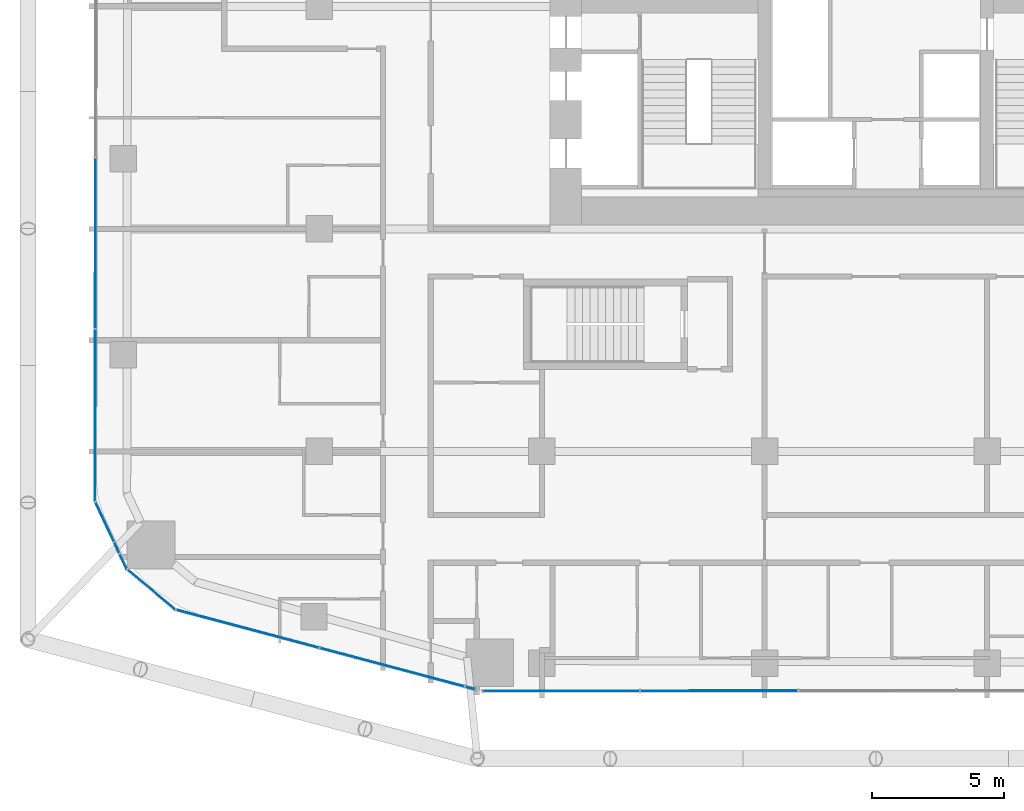
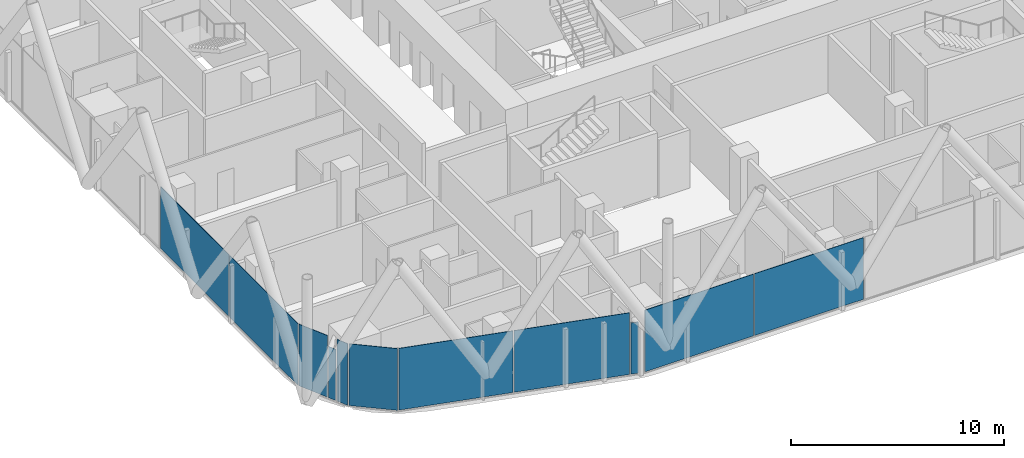
# One storey, part 18 of 34: 11 plates, 8 elements without a shape of their own.
"""IFC4 building model written with IfcOpenShell, lengths in metres."""

from ifc_helpers import new_model, si_unit, direction, frame, origin, origin_2d, place, context, subcontext, project, spatial, rectangle, extrude, material, layer, layer_set, type_object, element, aggregate, save


model = new_model("IFC4")

# Units and contexts
model_context = context("Model", 3, precision=1e-05, world=origin(), true_north=direction((0.0, 1.0)))
body_context = subcontext(model_context, "Body", "Model", "MODEL_VIEW")
ifc_project = project(units=[si_unit("LENGTHUNIT", "METRE"), si_unit("AREAUNIT", "SQUARE_METRE"), si_unit("VOLUMEUNIT", "CUBIC_METRE"), si_unit("PLANEANGLEUNIT", "RADIAN"), si_unit("MASSUNIT", "GRAM", prefix="KILO")], contexts=[model_context])

# Site, building, storey
site_placement = place(None, origin())
site = spatial("IfcSite", under=ifc_project, at=site_placement, CompositionType="ELEMENT")
building_placement = place(site_placement, origin())
building = spatial("IfcBuilding", under=site, at=building_placement, Name="Marenta Gate Hotel Tower", CompositionType="ELEMENT")
storey_placement = place(building_placement, frame((0.0, 0.0, 76.10009765625)))
storey = spatial("IfcBuildingStorey", under=building, at=storey_placement, Name="L17", CompositionType="ELEMENT", Elevation=76.10009765625)

# Curtain wall, plates
ifc_material_1 = material(Name="Tinted insulated glass in bronze anodised frame", Category="glass")
ifc_layer_1 = layer(ifc_material_1, 0.1201171875)
ifc_layer_set_1 = layer_set([ifc_layer_1], Name="Tinted insulated glass in bronze anodised frame")
curtain_wall_type = type_object("IfcCurtainWallType", Name="Tower unitised curtain wall CW1", PredefinedType="NOTDEFINED", material=ifc_layer_set_1)
curtain_wall_1_placement = place(storey_placement, origin())
curtain_wall_1 = element("IfcCurtainWall", 1, at=curtain_wall_1_placement, inside=storey, type_object=curtain_wall_type, Name="CW1 run G04", PredefinedType="NOTDEFINED")
ifc_material_2 = material(Name="Tinted insulated glass", Category="glass")
ifc_layer_2 = layer(ifc_material_2, 0.028076171875)
ifc_layer_set_2 = layer_set([ifc_layer_2], Name="Tinted insulated glass")
plate_type = type_object("IfcPlateType", Name="Glass panel CW1 28 mm tinted insulated unit", PredefinedType="CURTAIN_PANEL", material=ifc_layer_set_2)
plate_1_placement = place(storey_placement, frame((-29.4580078125, -0.54052734375, 0.059814453125), z_axis=(0.0, 0.0, 1.0), x_axis=(-0.00156642217, -0.99999877316, 0.0)))
plate_1 = element("IfcPlate", 2, at=plate_1_placement, type_object=plate_type, Name="CW1 panel 5.1", PredefinedType="CURTAIN_PANEL", context=body_context, shape_type="SweptSolid", body=[
    extrude(rectangle(XDim=6.430419921875, YDim=0.028076171875, at=origin_2d()), origin(), (0.0, 0.0, 1.0), 3.5400390625),
])
plate_2_placement = place(storey_placement, frame((-29.46826171875, -7.0458984375, 0.059814453125), z_axis=(0.0, 0.0, 1.0), x_axis=(-0.00156642217, -0.99999877316, 0.0)))
plate_2 = element("IfcPlate", 3, at=plate_2_placement, type_object=plate_type, Name="CW1 panel 6.1", PredefinedType="CURTAIN_PANEL", context=body_context, shape_type="SweptSolid", body=[
    extrude(rectangle(XDim=6.46044921875, YDim=0.028076171875, at=origin_2d()), origin(), (0.0, 0.0, 1.0), 3.5400390625),
])
aggregate(curtain_wall_1, [plate_1, plate_2])

# Curtain wall, plate
curtain_wall_2_placement = place(storey_placement, origin())
curtain_wall_2 = element("IfcCurtainWall", 4, at=curtain_wall_2_placement, inside=storey, type_object=curtain_wall_type, Name="CW1 run G05", PredefinedType="NOTDEFINED")
plate_3_placement = place(storey_placement, frame((-29.1064453125, -11.06103515625, 0.059814453125), z_axis=(0.0, 0.0, 1.0), x_axis=(0.42334021974, -0.905970782283, 0.0)))
plate_3 = element("IfcPlate", 5, at=plate_3_placement, type_object=plate_type, Name="CW1 panel 1.1", PredefinedType="CURTAIN_PANEL", context=body_context, shape_type="SweptSolid", body=[
    extrude(rectangle(XDim=1.613037109375, YDim=0.028076171875, at=origin_2d()), origin(), (0.0, 0.0, 1.0), 3.5400390625),
])
aggregate(curtain_wall_2, [plate_3])

curtain_wall_3_placement = place(storey_placement, origin())
curtain_wall_3 = element("IfcCurtainWall", 6, at=curtain_wall_3_placement, inside=storey, type_object=curtain_wall_type, Name="CW1 run G06", PredefinedType="NOTDEFINED")
plate_4_placement = place(storey_placement, frame((-28.6494140625, -12.0390625, 0.059814453125), z_axis=(0.0, 0.0, 1.0), x_axis=(0.423268429691, -0.906004324729, 0.0)))
plate_4 = element("IfcPlate", 7, at=plate_4_placement, type_object=plate_type, Name="CW1 panel 1.1", PredefinedType="CURTAIN_PANEL", context=body_context, shape_type="SweptSolid", body=[
    extrude(rectangle(XDim=0.426025390625, YDim=0.028076171875, at=origin_2d()), origin(), (0.0, 0.0, 1.0), 2.9404296875),
])
aggregate(curtain_wall_3, [plate_4])

curtain_wall_4_placement = place(storey_placement, origin())
curtain_wall_4 = element("IfcCurtainWall", 8, at=curtain_wall_4_placement, inside=storey, type_object=curtain_wall_type, Name="CW1 run G07", PredefinedType="NOTDEFINED")
plate_5_placement = place(storey_placement, frame((-28.404052734375, -12.564208984375, 0.059814453125), z_axis=(0.0, 0.0, 1.0), x_axis=(0.423397949235, -0.905943804319, 0.0)))
plate_5 = element("IfcPlate", 9, at=plate_5_placement, type_object=plate_type, Name="CW1 panel 1.1", PredefinedType="CURTAIN_PANEL", context=body_context, shape_type="SweptSolid", body=[
    extrude(rectangle(XDim=0.61279296875, YDim=0.028076171875, at=origin_2d()), origin(), (0.0, 0.0, 1.0), 3.5400390625),
])
aggregate(curtain_wall_4, [plate_5])

curtain_wall_5_placement = place(storey_placement, origin())
curtain_wall_5 = element("IfcCurtainWall", 10, at=curtain_wall_5_placement, inside=storey, type_object=curtain_wall_type, Name="CW1 run G08", PredefinedType="NOTDEFINED")
plate_6_placement = place(storey_placement, frame((-27.33984375, -13.623291015625, 0.059814453125), z_axis=(0.0, 0.0, 1.0), x_axis=(0.767113012445, -0.641511984407, 0.0)))
plate_6 = element("IfcPlate", 11, at=plate_6_placement, type_object=plate_type, Name="CW1 panel 1.1", PredefinedType="CURTAIN_PANEL", context=body_context, shape_type="SweptSolid", body=[
    extrude(rectangle(XDim=2.316650390625, YDim=0.028076171875, at=origin_2d()), origin(), (0.0, 0.0, 1.0), 3.5400390625),
])
aggregate(curtain_wall_5, [plate_6])

# Curtain wall, plates
curtain_wall_6_placement = place(storey_placement, origin())
curtain_wall_6 = element("IfcCurtainWall", 12, at=curtain_wall_6_placement, inside=storey, type_object=curtain_wall_type, Name="CW1 run G09", PredefinedType="NOTDEFINED")
plate_7_placement = place(storey_placement, frame((-23.7099609375, -15.095703125, 0.059814453125), z_axis=(0.0, 0.0, 1.0), x_axis=(0.96637361259, -0.257142063632, 0.0)))
plate_7 = element("IfcPlate", 13, at=plate_7_placement, type_object=plate_type, Name="CW1 panel 1.1", PredefinedType="CURTAIN_PANEL", context=body_context, shape_type="SweptSolid", body=[
    extrude(rectangle(XDim=5.553466796875, YDim=0.028076171875, at=origin_2d()), origin(), (0.0, 0.0, 1.0), 3.5400390625),
])
plate_8_placement = place(storey_placement, frame((-18.256103515625, -16.547119140625, 0.059814453125), z_axis=(0.0, 0.0, 1.0), x_axis=(0.96637361259, -0.257142063632, 0.0)))
plate_8 = element("IfcPlate", 14, at=plate_8_placement, type_object=plate_type, Name="CW1 panel 2.1", PredefinedType="CURTAIN_PANEL", context=body_context, shape_type="SweptSolid", body=[
    extrude(rectangle(XDim=5.613525390625, YDim=0.028076171875, at=origin_2d()), origin(), (0.0, 0.0, 1.0), 3.5400390625),
])
aggregate(curtain_wall_6, [plate_7, plate_8])

# Curtain wall, plate
curtain_wall_7_placement = place(storey_placement, origin())
curtain_wall_7 = element("IfcCurtainWall", 15, at=curtain_wall_7_placement, inside=storey, type_object=curtain_wall_type, Name="CW1 run G10", PredefinedType="NOTDEFINED")
plate_9_placement = place(storey_placement, frame((-15.309814453125, -17.3310546875, 0.059814453125), z_axis=(0.0, 0.0, 1.0), x_axis=(0.966388993927, -0.257084251591, 0.0)))
plate_9 = element("IfcPlate", 16, at=plate_9_placement, type_object=plate_type, Name="CW1 panel 1.1", PredefinedType="CURTAIN_PANEL", context=body_context, shape_type="SweptSolid", body=[
    extrude(rectangle(XDim=0.3642578125, YDim=0.028076171875, at=origin_2d()), origin(), (0.0, 0.0, 1.0), 2.9404296875),
])
aggregate(curtain_wall_7, [plate_9])

# Curtain wall, plates
curtain_wall_8_placement = place(storey_placement, origin())
curtain_wall_8 = element("IfcCurtainWall", 17, at=curtain_wall_8_placement, inside=storey, type_object=curtain_wall_type, Name="CW1 run G11", PredefinedType="NOTDEFINED")
plate_10_placement = place(storey_placement, frame((-11.869140625, -17.4443359375, 0.059814453125), z_axis=(0.0, 0.0, 1.0), x_axis=(0.999999324969, 0.001161921639, 0.0)))
plate_10 = element("IfcPlate", 18, at=plate_10_placement, type_object=plate_type, Name="CW1 panel 1.1", PredefinedType="CURTAIN_PANEL", context=body_context, shape_type="SweptSolid", body=[
    extrude(rectangle(XDim=5.8828125, YDim=0.028076171875, at=origin_2d()), origin(), (0.0, 0.0, 1.0), 3.5400390625),
])
plate_11_placement = place(storey_placement, frame((-5.911376953125, -17.4375, 0.059814453125), z_axis=(0.0, 0.0, 1.0), x_axis=(0.999999324969, 0.001161921639, 0.0)))
plate_11 = element("IfcPlate", 19, at=plate_11_placement, type_object=plate_type, Name="CW1 panel 2.1", PredefinedType="CURTAIN_PANEL", context=body_context, shape_type="SweptSolid", body=[
    extrude(rectangle(XDim=5.912841796875, YDim=0.028076171875, at=origin_2d()), origin(), (0.0, 0.0, 1.0), 3.5400390625),
])
aggregate(curtain_wall_8, [plate_10, plate_11])

save(model, "model.ifc")
